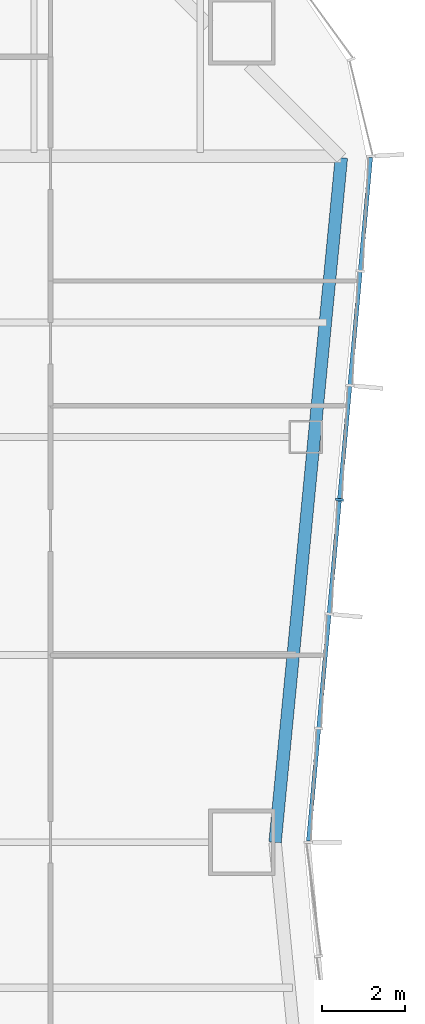
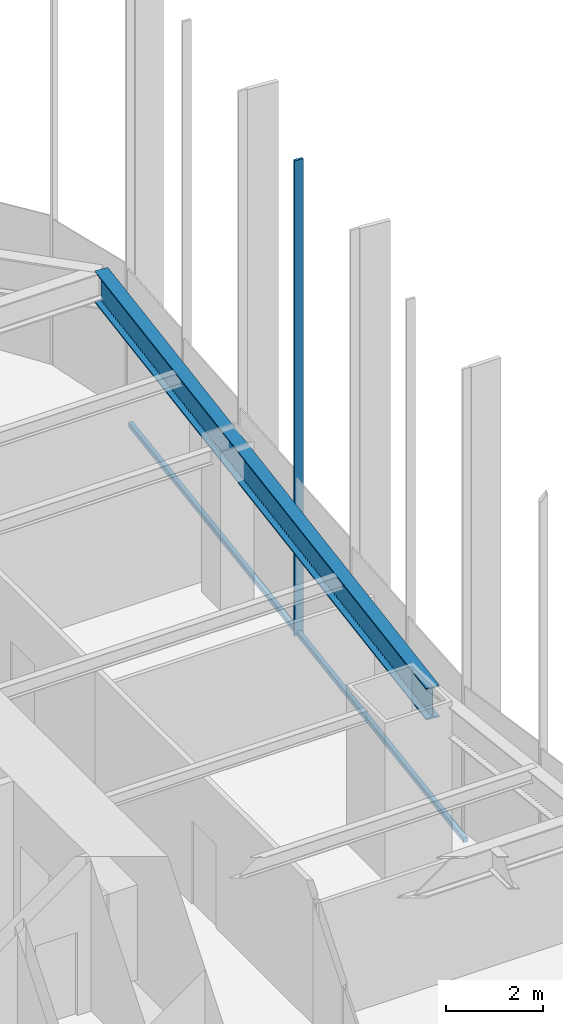
# One storey, part 5 of 13: 2 members, 1 beam, 1 element without a shape of its own.
"""IFC4 building model written with IfcOpenShell, lengths in metres."""

from ifc_helpers import new_model, si_unit, direction, frame, origin, origin_2d, place, context, subcontext, project, spatial, rectangle, i_section, extrude, material, material_profile, profile_set, type_object, element, aggregate, save


model = new_model("IFC4")

# Units and contexts
model_context = context("Model", 3, precision=1e-05, world=origin(), true_north=direction((0.0, 1.0)))
body_context = subcontext(model_context, "Body", "Model", "MODEL_VIEW")
ifc_project = project(units=[si_unit("LENGTHUNIT", "METRE"), si_unit("AREAUNIT", "SQUARE_METRE"), si_unit("VOLUMEUNIT", "CUBIC_METRE"), si_unit("PLANEANGLEUNIT", "RADIAN"), si_unit("MASSUNIT", "GRAM", prefix="KILO")], contexts=[model_context])

# Site, building, storey
site_placement = place(None, origin())
site = spatial("IfcSite", under=ifc_project, at=site_placement, CompositionType="ELEMENT")
building_placement = place(site_placement, origin())
building = spatial("IfcBuilding", under=site, at=building_placement, Name="Verdant Reach Tower", CompositionType="ELEMENT")
storey_placement = place(building_placement, frame((0.0, 0.0, 26.0)))
storey = spatial("IfcBuildingStorey", under=building, at=storey_placement, Name="L05", CompositionType="ELEMENT", Elevation=26.0)

# Curtain wall, members
ifc_material_1 = material(Name="Anodised aluminium", Category="aluminium")
curtain_wall_type = type_object("IfcCurtainWallType", Name="EN-CW SYSTEM Z0", PredefinedType="NOTDEFINED", material=ifc_material_1)
curtain_wall_placement = place(storey_placement, origin())
curtain_wall = element("IfcCurtainWall", 1, at=curtain_wall_placement, inside=storey, type_object=curtain_wall_type, Name="Curtain wall east, L05", PredefinedType="NOTDEFINED")
ifc_material_profile_1 = material_profile(ifc_material_1, rectangle(XDim=0.199951171875, YDim=0.06005859375, at=origin_2d()), Name="Mullion 60x200")
ifc_profile_set_1 = profile_set([ifc_material_profile_1], Name="Anodised aluminium")
member_type_1 = type_object("IfcMemberType", Name="EN-MULLION Z0", PredefinedType="MULLION", material=ifc_profile_set_1)
member_1_placement = place(storey_placement, frame((23.349609375, 30.740966796875, -0.35009765625), z_axis=(0.0, 0.0, 1.0), x_axis=(0.995893206467, -0.090535746047, 0.0)))
member_1 = element("IfcMember", 2, at=member_1_placement, type_object=member_type_1, Name="Mullion east face part 2 4, L05", PredefinedType="MULLION", context=body_context, shape_type="SweptSolid", body=[
    extrude(rectangle(XDim=0.199951171875, YDim=0.06005859375, at=origin_2d()), origin(), (0.0, 0.0, 1.0), 12.0),
])
ifc_material_profile_2 = material_profile(ifc_material_1, rectangle(XDim=0.10009765625, YDim=0.1201171875, at=origin_2d()), Name="Transom 120x100")
ifc_profile_set_2 = profile_set([ifc_material_profile_2], Name="Anodised aluminium")
member_type_2 = type_object("IfcMemberType", Name="EN-TRANSOM Z0", PredefinedType="USERDEFINED", material=ifc_profile_set_2)
member_2_placement = place(storey_placement, frame((22.602783203125, 22.52978515625, -0.2900390625), z_axis=(0.090495755184, 0.995896841191, 0.0), x_axis=(-0.995896841191, 0.090495755184, 0.0)))
member_2 = element("IfcMember", 3, at=member_2_placement, type_object=member_type_2, Name="Transom east face part 2 1.1, L05", ObjectType="TRANSOM", PredefinedType="USERDEFINED", context=body_context, shape_type="SweptSolid", body=[
    extrude(rectangle(XDim=0.10009765625, YDim=0.1201171875, at=origin_2d()), origin(), (0.0, 0.0, 1.0), 16.513427734375),
])
aggregate(curtain_wall, [member_1, member_2])

# Beam
ifc_material_2 = material(Name="Steel S355", Category="steel")
ifc_material_profile_3 = material_profile(ifc_material_2, i_section(OverallWidth=0.300048828125, OverallDepth=0.800048828125, WebThickness=0.017578125, FlangeThickness=0.032958984375, FilletRadius=0.030029296875, at=origin_2d()), Name="HEB 800")
ifc_profile_set_3 = profile_set([ifc_material_profile_3], Name="Steel S355")
beam_type = type_object("IfcBeamType", Name="ST-SPANDREL-HEB800", PredefinedType="SPANDREL", material=ifc_profile_set_3)
beam_placement = place(storey_placement, frame((23.39453125, 38.968017578125, 3.469970703125), z_axis=(-0.096372296695, -0.995345357366, 0.0), x_axis=(0.995345357366, -0.096372296695, 0.0)))
element("IfcBeam", 4, at=beam_placement, inside=storey, type_object=beam_type, Name="Edge beam, L05", PredefinedType="SPANDREL", context=body_context, shape_type="SweptSolid", body=[
    extrude(i_section(OverallWidth=0.300048828125, OverallDepth=0.800048828125, WebThickness=0.017578125, FlangeThickness=0.032958984375, FilletRadius=0.030029296875, at=origin_2d()), origin(), (0.0, 0.0, 1.0), 16.544921875),
])

save(model, "model.ifc")
